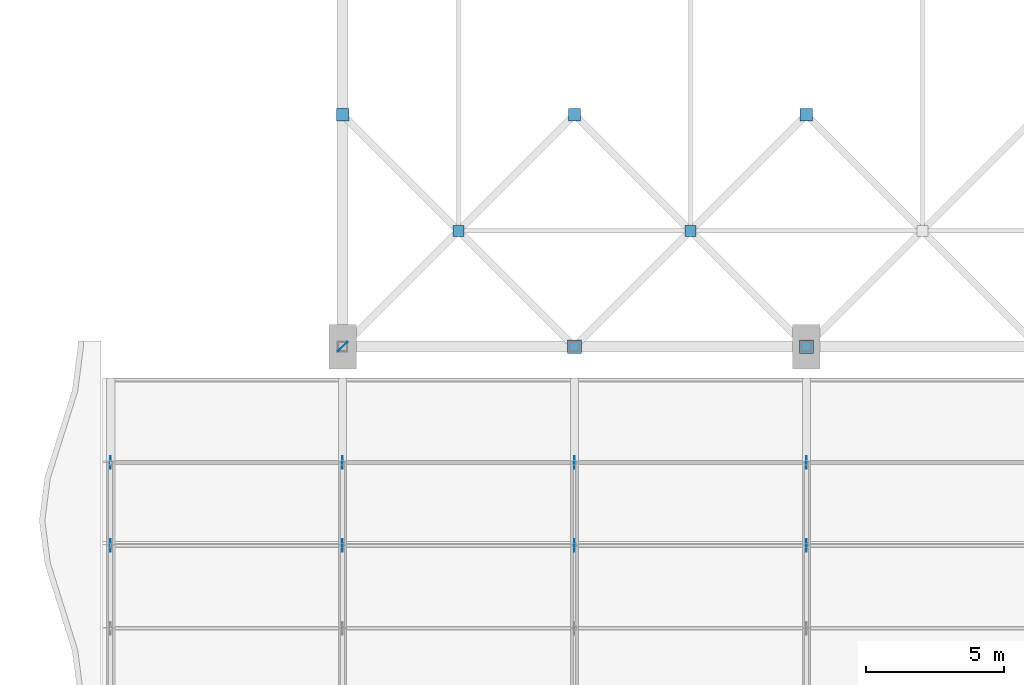
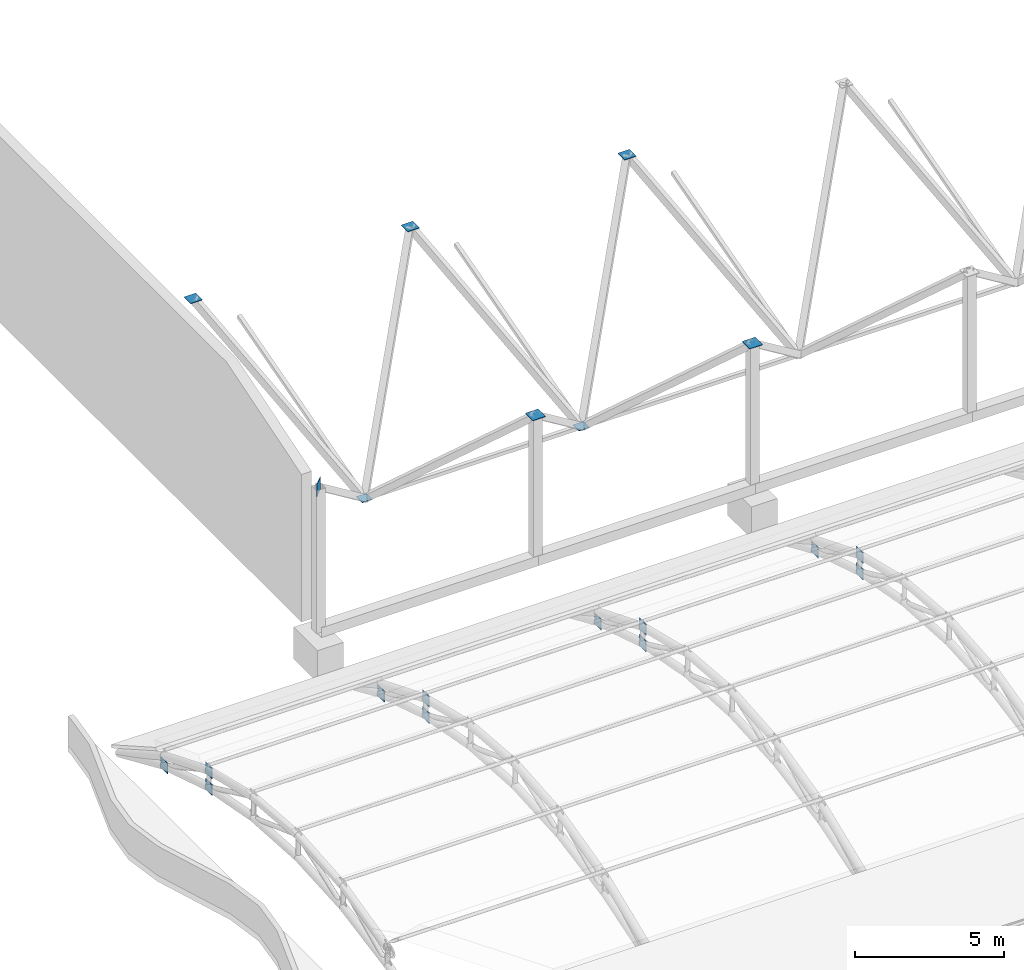
# One storey, part 122 of 163: 20 discrete accessories.
"""IFC4 building model written with IfcOpenShell, lengths in metres."""

import ifcopenshell
import ifcopenshell.guid

model = None  # the IFC model being written
_history = None  # IfcOwnerHistory: only IFC2X3 demands one
_inside = {}  # id of a spatial element -> (the spatial element, [elements in it])
_under = {}  # id of a project, library or spatial element -> (it, [spatial elements below it])
_declared = {}  # id of a project -> (the project, [libraries it declares])
_typed = {}  # id of a type object -> (the type object, [elements of that type])
_made_of = {}  # id of a material, layer set ... -> (it, [elements and type objects made of it])


def new_model(schema):
    """Start an empty IFC model of exactly this schema.

    Asked for "IFC4X3", IfcOpenShell would pick the latest addendum, in which some entities
    have other attributes; the version numbers below select the first issue.
    IFC2X3 requires an IfcOwnerHistory on every rooted entity: one is made here for all.
    """
    global model, _history
    if schema == "IFC4X3":
        model = ifcopenshell.file(schema_version=(4, 3, 0, 0))
    else:
        model = ifcopenshell.file(schema=schema)
    _inside.clear()
    _under.clear()
    _declared.clear()
    _typed.clear()
    _made_of.clear()
    _history = None
    if model.schema == "IFC2X3":
        org = make("IfcOrganization", Name="unknown")
        user = make(
            "IfcPersonAndOrganization",
            ThePerson=make("IfcPerson", FamilyName="unknown"),
            TheOrganization=org,
        )
        app = make(
            "IfcApplication",
            ApplicationDeveloper=org,
            Version="unknown",
            ApplicationFullName="unknown",
            ApplicationIdentifier="unknown",
        )
        _history = make(
            "IfcOwnerHistory",
            OwningUser=user,
            OwningApplication=app,
            ChangeAction="ADDED",
            CreationDate=0,
        )
    return model


def make(cls, **values):
    """One entity of the class cls with the attributes given. An attribute that is None is left unset."""
    return model.create_entity(
        cls, **{name: value for name, value in values.items() if value is not None}
    )


def rooted(cls, **values):
    """An entity with a GlobalId (a new one), such as an element, a storey or a relation."""
    return make(cls, GlobalId=ifcopenshell.guid.new(), OwnerHistory=_history, **values)


def si_unit(unit_type, name, prefix=None):
    """IfcSIUnit, for example si_unit("LENGTHUNIT", "METRE", prefix="MILLI")."""
    return make("IfcSIUnit", UnitType=unit_type, Prefix=prefix, Name=name)


def assignment(units):
    """IfcUnitAssignment: the units of a project."""
    return None if units is None else make("IfcUnitAssignment", Units=units)


def point(xyz):
    """IfcCartesianPoint."""
    return None if xyz is None else make("IfcCartesianPoint", Coordinates=xyz)


def direction(xyz):
    """IfcDirection."""
    return None if xyz is None else make("IfcDirection", DirectionRatios=xyz)


def frame(location, z_axis=None, x_axis=None):
    """IfcAxis2Placement3D, a coordinate frame: its origin and axes. An axis left out is left unset."""
    return make(
        "IfcAxis2Placement3D",
        Location=point(location),
        Axis=direction(z_axis),
        RefDirection=direction(x_axis),
    )


def frame_2d(location, x_axis=None):
    """IfcAxis2Placement2D, a coordinate frame in the plane: its origin and x axis."""
    return make(
        "IfcAxis2Placement2D", Location=point(location), RefDirection=direction(x_axis)
    )


def origin():
    """The frame at (0, 0, 0) with its axes left unset."""
    return frame((0.0, 0.0, 0.0))


def origin_2d():
    """The frame at (0, 0) in the plane with its x axis left unset."""
    return frame_2d((0.0, 0.0))


def place(relative_to, where):
    """IfcLocalPlacement: puts the frame where relative to a parent placement (None: the world)."""
    return make(
        "IfcLocalPlacement", PlacementRelTo=relative_to, RelativePlacement=where
    )


def context(
    kind, dimensions, precision=None, world=None, true_north=None, identifier=None
):
    """IfcGeometricRepresentationContext, for example the 3D "Model" context."""
    return make(
        "IfcGeometricRepresentationContext",
        ContextIdentifier=identifier,
        ContextType=kind,
        CoordinateSpaceDimension=dimensions,
        Precision=precision,
        WorldCoordinateSystem=world,
        TrueNorth=true_north,
    )


def subcontext(parent, identifier, kind, view, scale=None):
    """IfcGeometricRepresentationSubContext, for example "Body" below "Model"."""
    return make(
        "IfcGeometricRepresentationSubContext",
        ContextIdentifier=identifier,
        ContextType=kind,
        ParentContext=parent,
        TargetScale=scale,
        TargetView=view,
    )


def project(units=None, contexts=None):
    """IfcProject with its units and contexts."""
    return rooted(
        "IfcProject",
        Name="project",
        RepresentationContexts=contexts,
        UnitsInContext=assignment(units),
    )


def spatial(cls, under=None, at=None, **own):
    """A site, building, storey or space (cls), placed at a placement, below another one or the project."""
    s = rooted(cls, ObjectPlacement=at, **own)
    if under is not None:
        _under.setdefault(under.id(), (under, []))[1].append(s)
    return s


def profile(cls, at=None, kind="AREA", **sizes):
    """A parametric profile (cls). Its sizes go by their IFC names, for example OverallWidth=200.0."""
    return make(cls, ProfileType=kind, Position=at, **sizes)


def rectangle(**sizes):
    """IfcRectangleProfileDef."""
    return profile("IfcRectangleProfileDef", **sizes)


def extrude(swept, where, along, depth):
    """IfcExtrudedAreaSolid: the profile swept, set in the frame where, extruded along a direction by depth."""
    return make(
        "IfcExtrudedAreaSolid",
        SweptArea=swept,
        Position=where,
        ExtrudedDirection=direction(along),
        Depth=depth,
    )


def shape(context_of_items, identifier, shape_type, items):
    """IfcShapeRepresentation: the items that make up one representation, for example the "Body"."""
    return make(
        "IfcShapeRepresentation",
        ContextOfItems=context_of_items,
        RepresentationIdentifier=identifier,
        RepresentationType=shape_type,
        Items=items,
    )


def material(Name=None, Category=None):
    """IfcMaterial."""
    return make("IfcMaterial", Name=Name, Category=Category)


def layer(
    of_material, thickness, ventilated=None, Name=None, Category=None, Priority=None
):
    """IfcMaterialLayer: one layer of a wall or slab, of a material (None: an air gap)."""
    return make(
        "IfcMaterialLayer",
        Material=of_material,
        LayerThickness=thickness,
        IsVentilated=ventilated,
        Name=Name,
        Category=Category,
        Priority=Priority,
    )


def layer_set(layers, Name=None):
    """IfcMaterialLayerSet."""
    return make("IfcMaterialLayerSet", MaterialLayers=layers, LayerSetName=Name)


def made_of(thing, what):
    """Note that an element or type object is made of a material, layer set ...; save() writes the relation."""
    if what is not None:
        _made_of.setdefault(what.id(), (what, []))[1].append(thing)
    return thing


def type_object(cls, material=None, **own):
    """A type object (cls), such as IfcWallType, which elements share."""
    return made_of(rooted(cls, **own), material)


def element(
    cls,
    number,
    at=None,
    inside=None,
    cuts=None,
    type_object=None,
    material=None,
    context=None,
    identifier="Body",
    shape_type=None,
    held_by="IfcProductDefinitionShape",
    body=None,
    shapes=None,
    **own,
):
    """One element of the class cls, such as IfcWall. Its Tag is "e" and its number.

    at: its placement. inside: the storey or other place that contains it. cuts: it is an
    opening in that element (IfcRelVoidsElement). A single representation is given by context,
    identifier, shape_type and body (its items); several are given by shapes. held_by: the class
    of the entity that holds the representations. save() writes the other relations.
    """
    e = rooted(cls, Tag="e%d" % number, ObjectPlacement=at, **own)
    if body is not None:
        shapes = [shape(context, identifier, shape_type, body)]
    if shapes is not None:
        e.Representation = make(held_by, Representations=shapes)
    if inside is not None:
        _inside.setdefault(inside.id(), (inside, []))[1].append(e)
    if cuts is not None:
        rooted(
            "IfcRelVoidsElement", RelatingBuildingElement=cuts, RelatedOpeningElement=e
        )
    if type_object is not None:
        _typed.setdefault(type_object.id(), (type_object, []))[1].append(e)
    return made_of(e, material)


def aggregate(whole, parts):
    """IfcRelAggregates: a whole, such as a stair, and the parts it consists of."""
    return rooted("IfcRelAggregates", RelatingObject=whole, RelatedObjects=parts)


def save(model, path):
    """Write the relations noted so far, then the file.

    IfcRelAggregates (storeys below a building ...), IfcRelContainedInSpatialStructure (elements
    in a storey), IfcRelDefinesByType, IfcRelAssociatesMaterial and IfcRelDeclares: one each for
    every whole, place, type object, material and project.
    """
    for whole, parts in _under.values():
        aggregate(whole, parts)
    for where, things in _inside.values():
        rooted(
            "IfcRelContainedInSpatialStructure",
            RelatedElements=things,
            RelatingStructure=where,
        )
    for kind, things in _typed.values():
        rooted("IfcRelDefinesByType", RelatedObjects=things, RelatingType=kind)
    for what, things in _made_of.values():
        rooted("IfcRelAssociatesMaterial", RelatedObjects=things, RelatingMaterial=what)
    for by, libraries in _declared.values():
        rooted("IfcRelDeclares", RelatingContext=by, RelatedDefinitions=libraries)
    model.write(path)


model = new_model("IFC4")

# Units and contexts
model_context = context("Model", 3, precision=1e-05, world=origin(), true_north=direction((0.0, 1.0)))
body_context = subcontext(model_context, "Body", "Model", "MODEL_VIEW")
ifc_project = project(units=[si_unit("LENGTHUNIT", "METRE"), si_unit("AREAUNIT", "SQUARE_METRE"), si_unit("VOLUMEUNIT", "CUBIC_METRE"), si_unit("PLANEANGLEUNIT", "RADIAN"), si_unit("MASSUNIT", "GRAM", prefix="KILO")], contexts=[model_context])

# Site, building, storey
site_placement = place(None, origin())
site = spatial("IfcSite", under=ifc_project, at=site_placement, CompositionType="ELEMENT")
building_placement = place(site_placement, origin())
building = spatial("IfcBuilding", under=site, at=building_placement, Name="Rain Tree Exposition and Congress Centre", CompositionType="ELEMENT")
storey_placement = place(building_placement, frame((0.0, 0.0, 10.5)))
storey = spatial("IfcBuildingStorey", under=building, at=storey_placement, Name="L02", CompositionType="ELEMENT", Elevation=10.5)

# Discrete accessories
ifc_material_1 = material(Name="Steel plate S355J2", Category="steel")
ifc_layer_1 = layer(ifc_material_1, 0.02001953125)
ifc_layer_set_1 = layer_set([ifc_layer_1], Name="Steel plate S355J2")
discrete_accessory_type_1 = type_object("IfcDiscreteAccessoryType", Name="Brace node plate 400x400x20", PredefinedType="BRACKET", material=ifc_layer_set_1)
for number, where, z_axis, x_axis, name in (
    (1, (12.60009765625, 105.0, 2.863525390625), (0.0, 0.0, 1.0), (1.0, 0.0, 0.0), "Brace node plate 400"),
    (2, (21.0, 105.0, 2.863525390625), (0.0, 0.0, 1.0), (1.0, 0.0, 0.0), "Brace node plate 400"),
):
    element("IfcDiscreteAccessory", number, at=place(storey_placement, frame(where, z_axis=z_axis, x_axis=x_axis)), inside=storey, type_object=discrete_accessory_type_1, Name=name, PredefinedType="BRACKET", context=body_context, shape_type="SweptSolid", body=[
        extrude(rectangle(XDim=0.39990234375, YDim=0.39990234375, at=origin_2d()), origin(), (0.0, 0.0, 1.0), 0.02001953125),
    ])
ifc_material_2 = material(Name="Steel plate S355J2", Category="steel")
ifc_layer_2 = layer(ifc_material_2, 0.02001953125)
ifc_layer_set_2 = layer_set([ifc_layer_2], Name="Steel plate S355J2")
discrete_accessory_type_2 = type_object("IfcDiscreteAccessoryType", Name="Brace node plate 450x450x20", PredefinedType="BRACKET", material=ifc_layer_set_2)
for number, where, z_axis, x_axis, name in (
    (3, (8.39990234375, 109.199951171875, 9.956787109375), (0.0, 0.0, 1.0), (1.0, 0.0, 0.0), "Brace node plate 450"),
    (4, (16.800048828125, 109.199951171875, 9.956787109375), (0.0, 0.0, 1.0), (1.0, 0.0, 0.0), "Brace node plate 450"),
    (5, (25.199951171875, 109.199951171875, 9.956787109375), (0.0, 0.0, 1.0), (1.0, 0.0, 0.0), "Brace node plate 450"),
):
    element("IfcDiscreteAccessory", number, at=place(storey_placement, frame(where, z_axis=z_axis, x_axis=x_axis)), inside=storey, type_object=discrete_accessory_type_2, Name=name, PredefinedType="BRACKET", context=body_context, shape_type="SweptSolid", body=[
        extrude(rectangle(XDim=0.449951171875, YDim=0.449951171875, at=origin_2d()), origin(), (0.0, 0.0, 1.0), 0.02001953125),
    ])
for number, where, z_axis, x_axis, name in (
    (6, (0.0, 93.60009765625, 2.15478515625), (0.0, 0.0, 1.0), (0.0, -1.0, 0.0), "Brace node plate 450"),
    (7, (0.0, 96.60009765625, 1.21728515625), (0.0, 0.0, 1.0), (0.0, -1.0, 0.0), "Brace node plate 450"),
    (8, (0.0, 93.60009765625, 2.830078125), (0.0, 0.0, 1.0), (0.0, 1.0, 0.0), "Brace node plate 450"),
    (9, (8.39990234375, 93.60009765625, 2.15478515625), (0.0, 0.0, 1.0), (0.0, -1.0, 0.0), "Brace node plate 450"),
    (10, (8.39990234375, 96.60009765625, 1.21728515625), (0.0, 0.0, 1.0), (0.0, -1.0, 0.0), "Brace node plate 450"),
    (11, (8.39990234375, 93.60009765625, 2.830078125), (0.0, 0.0, 1.0), (0.0, 1.0, 0.0), "Brace node plate 450"),
    (12, (16.800048828125, 93.60009765625, 2.15478515625), (0.0, 0.0, 1.0), (0.0, -1.0, 0.0), "Brace node plate 450"),
    (13, (16.800048828125, 96.60009765625, 1.21728515625), (0.0, 0.0, 1.0), (0.0, -1.0, 0.0), "Brace node plate 450"),
    (14, (16.800048828125, 93.60009765625, 2.830078125), (0.0, 0.0, 1.0), (0.0, 1.0, 0.0), "Brace node plate 450"),
    (15, (25.199951171875, 93.60009765625, 2.15478515625), (0.0, 0.0, 1.0), (0.0, -1.0, 0.0), "Brace node plate 450"),
    (16, (25.199951171875, 96.60009765625, 1.21728515625), (0.0, 0.0, 1.0), (0.0, -1.0, 0.0), "Brace node plate 450"),
    (17, (25.199951171875, 93.60009765625, 2.830078125), (0.0, 0.0, 1.0), (0.0, 1.0, 0.0), "Brace node plate 450"),
):
    element("IfcDiscreteAccessory", number, at=place(storey_placement, frame(where, z_axis=z_axis, x_axis=x_axis)), inside=storey, type_object=discrete_accessory_type_2, Name=name, PredefinedType="BRACKET", context=body_context, shape_type="SweptSolid", body=[
        extrude(rectangle(XDim=0.449951171875, YDim=0.02001953125, at=origin_2d()), origin(), (0.0, 0.0, 1.0), 0.449951171875),
    ])
ifc_material_3 = material(Name="Steel plate S355J2", Category="steel")
ifc_layer_3 = layer(ifc_material_3, 0.02001953125)
ifc_layer_set_3 = layer_set([ifc_layer_3], Name="Steel plate S355J2")
discrete_accessory_type_3 = type_object("IfcDiscreteAccessoryType", Name="Brace node plate 500x500x20", PredefinedType="BRACKET", material=ifc_layer_set_3)
discrete_accessory_placement = place(storey_placement, frame((8.39990234375, 100.800048828125, 7.10009765625), z_axis=(0.0, 0.0, 1.0), x_axis=(0.707106781187, 0.707106781187, 0.0)))
element("IfcDiscreteAccessory", 18, at=discrete_accessory_placement, inside=storey, type_object=discrete_accessory_type_3, Name="Brace node plate 500", PredefinedType="BRACKET", context=body_context, shape_type="SweptSolid", body=[
    extrude(rectangle(XDim=0.5, YDim=0.02001953125, at=origin_2d()), origin(), (0.0, 0.0, 1.0), 0.5),
])
for number, where, z_axis, x_axis, name in (
    (19, (16.800048828125, 100.800048828125, 7.340087890625), (0.0, 0.0, 1.0), (1.0, 0.0, 0.0), "Brace node plate 500"),
    (20, (25.199951171875, 100.800048828125, 7.340087890625), (0.0, 0.0, 1.0), (1.0, 0.0, 0.0), "Brace node plate 500"),
):
    element("IfcDiscreteAccessory", number, at=place(storey_placement, frame(where, z_axis=z_axis, x_axis=x_axis)), inside=storey, type_object=discrete_accessory_type_3, Name=name, PredefinedType="BRACKET", context=body_context, shape_type="SweptSolid", body=[
        extrude(rectangle(XDim=0.5, YDim=0.5, at=origin_2d()), origin(), (0.0, 0.0, 1.0), 0.02001953125),
    ])

save(model, "model.ifc")
